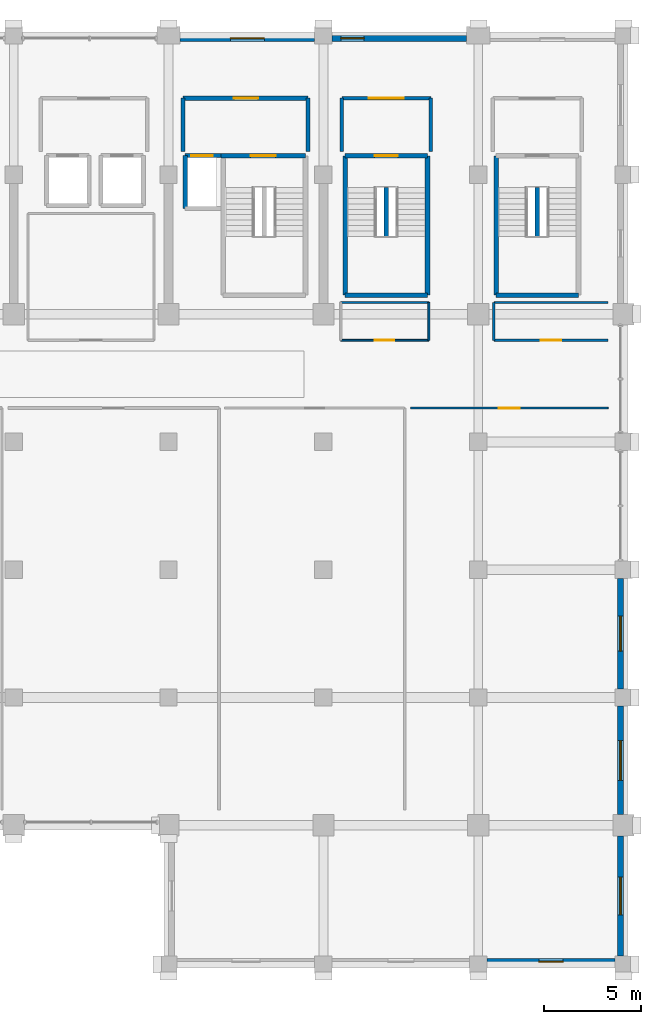
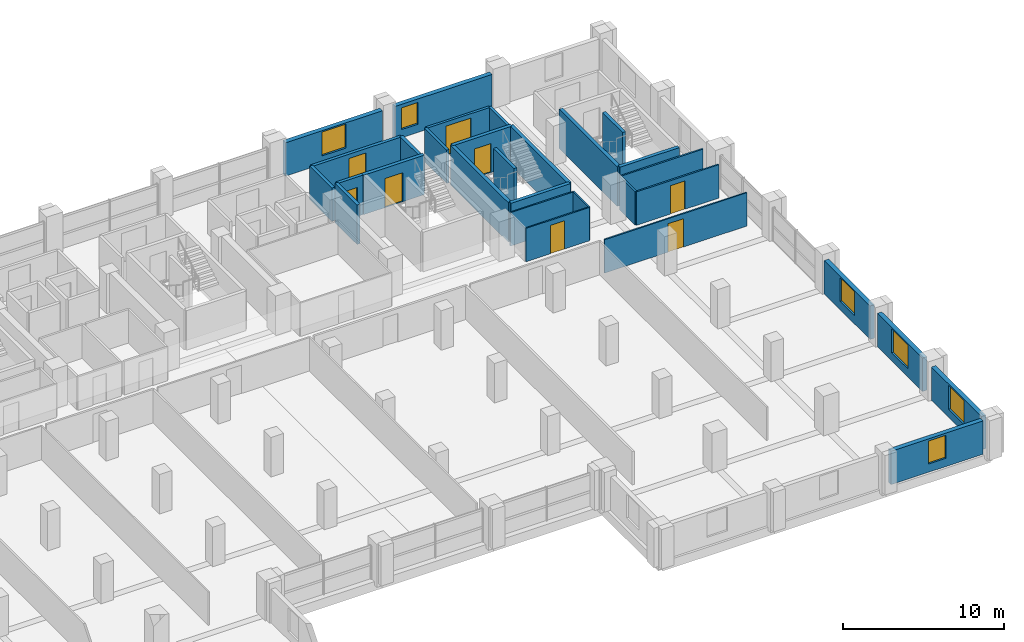
# One storey, part 19 of 21: 30 walls, 8 doors, 6 windows, 14 openings.
"""IFC4 building model written with IfcOpenShell, lengths in metres."""

from ifc_helpers import new_model, si_unit, direction, frame, frame_2d, origin, place, context, subcontext, project, spatial, rectangle, extrude, material, layer, layer_set, type_object, element, fill, save


model = new_model("IFC4")

# Units and contexts
model_context = context("Model", 3, precision=1e-05, world=origin(), true_north=direction((0.0, 1.0)))
body_context = subcontext(model_context, "Body", "Model", "MODEL_VIEW")
ifc_project = project(units=[si_unit("LENGTHUNIT", "METRE"), si_unit("AREAUNIT", "SQUARE_METRE"), si_unit("VOLUMEUNIT", "CUBIC_METRE"), si_unit("PLANEANGLEUNIT", "RADIAN"), si_unit("MASSUNIT", "GRAM", prefix="KILO")], contexts=[model_context])

# Site, building, storey
site_placement = place(None, origin())
site = spatial("IfcSite", under=ifc_project, at=site_placement, CompositionType="ELEMENT")
building_placement = place(site_placement, origin())
building = spatial("IfcBuilding", under=site, at=building_placement, Name="Akrevak Sports Hall", CompositionType="ELEMENT")
storey_placement = place(building_placement, frame((0.0, 0.0, 27.550048828125)))
storey = spatial("IfcBuildingStorey", under=building, at=storey_placement, Name="L05", CompositionType="ELEMENT", Elevation=27.550048828125)

# Wall, opening, window
ifc_material_1 = material(Name="Limestone Ashlar", Category="stone")
ifc_layer_1 = layer(ifc_material_1, 0.070068359375, Name="Limestone Ashlar")
ifc_material_2 = material(Name="Mineral Wool Thermal Insulation", Category="insulation")
ifc_layer_2 = layer(ifc_material_2, 0.090087890625, Name="Mineral Wool Thermal Insulation")
ifc_material_3 = material(Name="Concrete C40/50", Category="concrete")
ifc_layer_3 = layer(ifc_material_3, 0.159912109375, Name="Concrete C40/50")
ifc_layer_set_1 = layer_set([ifc_layer_1, ifc_layer_2, ifc_layer_3], Name="Limestone Ashlar / Mineral Wool Thermal Insulation / Concrete C40/50")
wall_type_1 = type_object("IfcWallType", Name="ARC-WL-EXT-320", PredefinedType="SOLIDWALL", material=ifc_layer_set_1)
wall_1_placement = place(storey_placement, frame((108.449951171875, 21.760009765625, 0.0), z_axis=(0.0, 0.0, 1.0), x_axis=(1.0, 0.0, 0.0)))
wall_1 = element("IfcWall", 1, at=wall_1_placement, inside=storey, type_object=wall_type_1, Name="Tower Stone Facade Wall L05-S11", PredefinedType="SOLIDWALL", context=body_context, shape_type="SweptSolid", body=[
    extrude(rectangle(XDim=6.60009765625, YDim=0.320068359375, at=frame_2d((3.300048828125, 0.0))), origin(), (0.0, 0.0, 1.0), 2.530029296875),
])
opening_1_placement = place(wall_1_placement, frame((2.675048828125, 0.0, 0.6201171875)))
opening_1 = element("IfcOpeningElement", 2, at=opening_1_placement, cuts=wall_1, Name="Opening WN-20", PredefinedType="OPENING", context=body_context, shape_type="SweptSolid", body=[
    extrude(rectangle(XDim=1.25, YDim=1.75, at=frame_2d((0.625, 0.875))), frame((0.0, 0.171875, 0.0), z_axis=(0.0, -1.0, 0.0), x_axis=(1.0, 0.0, 0.0)), (0.0, 0.0, 1.0), 0.343994140625),
])
ifc_material_4 = material(Name="Thermally Broken Bronze Frame & Double Low-E Glass", Category="glass")
window_type_1 = type_object("IfcWindowType", Name="ARC-WIN-TW-125x175", PartitioningType="SINGLE_PANEL", PredefinedType="WINDOW", material=ifc_material_4)
window_1_placement = place(opening_1_placement, origin())
window_1 = element("IfcWindow", 3, at=window_1_placement, inside=storey, type_object=window_type_1, Name="Tower Window L05-S11", OverallHeight=1.75, OverallWidth=1.25, PartitioningType="SINGLE_PANEL", PredefinedType="WINDOW", context=body_context, shape_type="SweptSolid", body=[
    extrude(rectangle(XDim=1.25, YDim=1.75, at=frame_2d((0.625, 0.875))), frame((0.0, 0.030029296875, 0.0), z_axis=(0.0, -1.0, 0.0), x_axis=(1.0, 0.0, 0.0)), (0.0, 0.0, 1.0), 0.06005859375),
])
fill(opening_1, window_1)

wall_2_placement = place(storey_placement, frame((115.340087890625, 22.050048828125, 0.0), z_axis=(0.0, 0.0, 1.0), x_axis=(0.0, 1.0, 0.0)))
wall_2 = element("IfcWall", 4, at=wall_2_placement, inside=storey, type_object=wall_type_1, Name="Tower Stone Facade Wall L05-E12", PredefinedType="SOLIDWALL", context=body_context, shape_type="SweptSolid", body=[
    extrude(rectangle(XDim=6.199951171875, YDim=0.320068359375, at=frame_2d((3.10009765625, 0.0))), origin(), (0.0, 0.0, 1.0), 2.530029296875),
])
opening_2_placement = place(wall_2_placement, frame((2.125, 0.0, 0.6201171875)))
opening_2 = element("IfcOpeningElement", 5, at=opening_2_placement, cuts=wall_2, Name="Opening WN-52", PredefinedType="OPENING", context=body_context, shape_type="SweptSolid", body=[
    extrude(rectangle(XDim=1.949951171875, YDim=1.81005859375, at=frame_2d((0.97509765625, 0.905029296875))), frame((0.0, 0.171875, 0.0), z_axis=(0.0, -1.0, 0.0), x_axis=(1.0, 0.0, 0.0)), (0.0, 0.0, 1.0), 0.343994140625),
])
window_type_2 = type_object("IfcWindowType", Name="ARC-WIN-SZ-1950x1810", PartitioningType="SINGLE_PANEL", PredefinedType="WINDOW", material=ifc_material_4)
window_2_placement = place(opening_2_placement, origin())
window_2 = element("IfcWindow", 6, at=window_2_placement, inside=storey, type_object=window_type_2, Name="Tower Window L05-E12", OverallHeight=1.81005859375, OverallWidth=1.949951171875, PartitioningType="SINGLE_PANEL", PredefinedType="WINDOW", context=body_context, shape_type="SweptSolid", body=[
    extrude(rectangle(XDim=1.949951171875, YDim=1.81005859375, at=frame_2d((0.97509765625, 0.905029296875))), frame((0.0, 0.030029296875, 0.0), z_axis=(0.0, -1.0, 0.0), x_axis=(1.0, 0.0, 0.0)), (0.0, 0.0, 1.0), 0.06005859375),
])
fill(opening_2, window_2)

wall_3_placement = place(storey_placement, frame((115.340087890625, 29.35009765625, 0.0), z_axis=(0.0, 0.0, 1.0), x_axis=(0.0, 1.0, 0.0)))
wall_3 = element("IfcWall", 7, at=wall_3_placement, inside=storey, type_object=wall_type_1, Name="Tower Stone Facade Wall L05-E13", PredefinedType="SOLIDWALL", context=body_context, shape_type="SweptSolid", body=[
    extrude(rectangle(XDim=5.599853515625, YDim=0.320068359375, at=frame_2d((2.7998046875, 0.0))), origin(), (0.0, 0.0, 1.0), 2.530029296875),
])
opening_3_placement = place(wall_3_placement, frame((1.77490234375, 0.0, 0.6201171875)))
opening_3 = element("IfcOpeningElement", 8, at=opening_3_placement, cuts=wall_3, Name="Opening WN-53", PredefinedType="OPENING", context=body_context, shape_type="SweptSolid", body=[
    extrude(rectangle(XDim=2.050048828125, YDim=1.81005859375, at=frame_2d((1.02490234375, 0.905029296875))), frame((0.0, 0.171875, 0.0), z_axis=(0.0, -1.0, 0.0), x_axis=(1.0, 0.0, 0.0)), (0.0, 0.0, 1.0), 0.343994140625),
])
window_type_3 = type_object("IfcWindowType", Name="ARC-WIN-SZ-2050x1810", PartitioningType="SINGLE_PANEL", PredefinedType="WINDOW", material=ifc_material_4)
window_3_placement = place(opening_3_placement, origin())
window_3 = element("IfcWindow", 9, at=window_3_placement, inside=storey, type_object=window_type_3, Name="Tower Window L05-E13", OverallHeight=1.81005859375, OverallWidth=2.050048828125, PartitioningType="SINGLE_PANEL", PredefinedType="WINDOW", context=body_context, shape_type="SweptSolid", body=[
    extrude(rectangle(XDim=2.050048828125, YDim=1.81005859375, at=frame_2d((1.02490234375, 0.905029296875))), frame((0.0, 0.030029296875, 0.0), z_axis=(0.0, -1.0, 0.0), x_axis=(1.0, 0.0, 0.0)), (0.0, 0.0, 1.0), 0.06005859375),
])
fill(opening_3, window_3)

wall_4_placement = place(storey_placement, frame((115.340087890625, 35.85009765625, 0.0), z_axis=(0.0, 0.0, 1.0), x_axis=(0.0, 1.0, 0.0)))
wall_4 = element("IfcWall", 10, at=wall_4_placement, inside=storey, type_object=wall_type_1, Name="Tower Stone Facade Wall L05-E14", PredefinedType="SOLIDWALL", context=body_context, shape_type="SweptSolid", body=[
    extrude(rectangle(XDim=5.699951171875, YDim=0.320068359375, at=frame_2d((2.85009765625, 0.0))), origin(), (0.0, 0.0, 1.0), 2.530029296875),
])
opening_4_placement = place(wall_4_placement, frame((1.949951171875, 0.0, 0.6201171875)))
opening_4 = element("IfcOpeningElement", 11, at=opening_4_placement, cuts=wall_4, Name="Opening WN-54", PredefinedType="OPENING", context=body_context, shape_type="SweptSolid", body=[
    extrude(rectangle(XDim=1.800048828125, YDim=1.81005859375, at=frame_2d((0.89990234375, 0.905029296875))), frame((0.0, 0.171875, 0.0), z_axis=(0.0, -1.0, 0.0), x_axis=(1.0, 0.0, 0.0)), (0.0, 0.0, 1.0), 0.343994140625),
])
window_type_4 = type_object("IfcWindowType", Name="ARC-WIN-SZ-1800x1810", PartitioningType="SINGLE_PANEL", PredefinedType="WINDOW", material=ifc_material_4)
window_4_placement = place(opening_4_placement, origin())
window_4 = element("IfcWindow", 12, at=window_4_placement, inside=storey, type_object=window_type_4, Name="Tower Window L05-E14", OverallHeight=1.81005859375, OverallWidth=1.800048828125, PartitioningType="SINGLE_PANEL", PredefinedType="WINDOW", context=body_context, shape_type="SweptSolid", body=[
    extrude(rectangle(XDim=1.800048828125, YDim=1.81005859375, at=frame_2d((0.89990234375, 0.905029296875))), frame((0.0, 0.030029296875, 0.0), z_axis=(0.0, -1.0, 0.0), x_axis=(1.0, 0.0, 0.0)), (0.0, 0.0, 1.0), 0.06005859375),
])
fill(opening_4, window_4)

wall_5_placement = place(storey_placement, frame((107.39990234375, 69.43994140625, 0.0), z_axis=(0.0, 0.0, 1.0), x_axis=(-1.0, 0.0, 0.0)))
wall_5 = element("IfcWall", 13, at=wall_5_placement, inside=storey, type_object=wall_type_1, Name="Tower Stone Facade Wall L05-N20", PredefinedType="SOLIDWALL", context=body_context, shape_type="SweptSolid", body=[
    extrude(rectangle(XDim=6.949951171875, YDim=0.320068359375, at=frame_2d((3.47509765625, 0.0))), origin(), (0.0, 0.0, 1.0), 2.530029296875),
])
opening_5_placement = place(wall_5_placement, frame((5.300048828125, 0.0, 0.6201171875)))
opening_5 = element("IfcOpeningElement", 14, at=opening_5_placement, cuts=wall_5, Name="Opening WN-45", PredefinedType="OPENING", context=body_context, shape_type="SweptSolid", body=[
    extrude(rectangle(XDim=1.199951171875, YDim=1.64990234375, at=frame_2d((0.60009765625, 0.824951171875))), frame((0.0, 0.171875, 0.0), z_axis=(0.0, -1.0, 0.0), x_axis=(1.0, 0.0, 0.0)), (0.0, 0.0, 1.0), 0.343994140625),
])
window_type_5 = type_object("IfcWindowType", Name="ARC-WIN-SZ-1200x1650", PartitioningType="SINGLE_PANEL", PredefinedType="WINDOW", material=ifc_material_4)
window_5_placement = place(opening_5_placement, origin())
window_5 = element("IfcWindow", 15, at=window_5_placement, inside=storey, type_object=window_type_5, Name="Tower Window L05-N20", OverallHeight=1.64990234375, OverallWidth=1.199951171875, PartitioningType="SINGLE_PANEL", PredefinedType="WINDOW", context=body_context, shape_type="SweptSolid", body=[
    extrude(rectangle(XDim=1.199951171875, YDim=1.64990234375, at=frame_2d((0.60009765625, 0.824951171875))), frame((0.0, 0.030029296875, 0.0), z_axis=(0.0, -1.0, 0.0), x_axis=(1.0, 0.0, 0.0)), (0.0, 0.0, 1.0), 0.06005859375),
])
fill(opening_5, window_5)

wall_6_placement = place(storey_placement, frame((99.550048828125, 69.43994140625, 0.0), z_axis=(0.0, 0.0, 1.0), x_axis=(-1.0, 0.0, 0.0)))
wall_6 = element("IfcWall", 16, at=wall_6_placement, inside=storey, type_object=wall_type_1, Name="Tower Stone Facade Wall L05-N21", PredefinedType="SOLIDWALL", context=body_context, shape_type="SweptSolid", body=[
    extrude(rectangle(XDim=6.949951171875, YDim=0.320068359375, at=frame_2d((3.47509765625, 0.0))), origin(), (0.0, 0.0, 1.0), 2.530029296875),
])
opening_6_placement = place(wall_6_placement, frame((2.60009765625, 0.0, 0.6201171875)))
opening_6 = element("IfcOpeningElement", 17, at=opening_6_placement, cuts=wall_6, Name="Opening WN-56", PredefinedType="OPENING", context=body_context, shape_type="SweptSolid", body=[
    extrude(rectangle(XDim=1.75, YDim=1.81005859375, at=frame_2d((0.875, 0.905029296875))), frame((0.0, 0.171875, 0.0), z_axis=(0.0, -1.0, 0.0), x_axis=(1.0, 0.0, 0.0)), (0.0, 0.0, 1.0), 0.343994140625),
])
window_type_6 = type_object("IfcWindowType", Name="ARC-WIN-SZ-1750x1810", PartitioningType="SINGLE_PANEL", PredefinedType="WINDOW", material=ifc_material_4)
window_6_placement = place(opening_6_placement, origin())
window_6 = element("IfcWindow", 18, at=window_6_placement, inside=storey, type_object=window_type_6, Name="Tower Window L05-N21", OverallHeight=1.81005859375, OverallWidth=1.75, PartitioningType="SINGLE_PANEL", PredefinedType="WINDOW", context=body_context, shape_type="SweptSolid", body=[
    extrude(rectangle(XDim=1.75, YDim=1.81005859375, at=frame_2d((0.875, 0.905029296875))), frame((0.0, 0.030029296875, 0.0), z_axis=(0.0, -1.0, 0.0), x_axis=(1.0, 0.0, 0.0)), (0.0, 0.0, 1.0), 0.06005859375),
])
fill(opening_6, window_6)

# Wall, opening, door
ifc_material_5 = material(Name="Sanitary Cubicle Partition", Category="gypsum")
ifc_layer_4 = layer(ifc_material_5, 0.10009765625, Name="Sanitary Cubicle Partition")
ifc_layer_set_2 = layer_set([ifc_layer_4], Name="Sanitary Cubicle Partition")
wall_type_2 = type_object("IfcWallType", Name="ARC-WL-PRT-100", PredefinedType="PARTITIONING", material=ifc_layer_set_2)
wall_7_placement = place(storey_placement, frame((104.5, 50.35009765625, 0.0), z_axis=(0.0, 0.0, 1.0), x_axis=(1.0, 0.0, 0.0)))
wall_7 = element("IfcWall", 19, at=wall_7_placement, inside=storey, type_object=wall_type_2, Name="Interior Partition Federation Conference Room A (L05) (N)", PredefinedType="PARTITIONING", context=body_context, shape_type="SweptSolid", body=[
    extrude(rectangle(XDim=10.199951171875, YDim=0.10009765625, at=frame_2d((5.10009765625, 0.0))), origin(), (0.0, 0.0, 1.0), 2.530029296875),
])
opening_7_placement = place(wall_7_placement, frame((4.550048828125, 0.0, 0.0)))
opening_7 = element("IfcOpeningElement", 20, at=opening_7_placement, cuts=wall_7, Name="Opening ID-04", PredefinedType="OPENING", context=body_context, shape_type="SweptSolid", body=[
    extrude(rectangle(XDim=1.10009765625, YDim=2.14990234375, at=frame_2d((0.550048828125, 1.074951171875))), frame((0.0, 0.06201171875, 0.0), z_axis=(0.0, -1.0, 0.0), x_axis=(1.0, 0.0, 0.0)), (0.0, 0.0, 1.0), 0.1240234375),
])
ifc_material_6 = material(Name="Hardwood Oak Acoustic Leaf", Category="wood")
door_type_1 = type_object("IfcDoorType", Name="ARC-DR-OFF-110x215", OperationType="NOTDEFINED", PredefinedType="DOOR", material=ifc_material_6)
door_1_placement = place(opening_7_placement, origin())
door_1 = element("IfcDoor", 21, at=door_1_placement, inside=storey, type_object=door_type_1, Name="Door to Federation Conference Room A (L05)", OperationType="SINGLE_SWING_RIGHT", OverallHeight=2.14990234375, OverallWidth=1.10009765625, PredefinedType="DOOR", context=body_context, shape_type="SweptSolid", body=[
    extrude(rectangle(XDim=1.10009765625, YDim=2.14990234375, at=frame_2d((0.550048828125, 1.074951171875))), frame((0.0, 0.02490234375, 0.0), z_axis=(0.0, -1.0, 0.0), x_axis=(1.0, 0.0, 0.0)), (0.0, 0.0, 1.0), 0.050048828125),
])
fill(opening_7, door_1)

wall_8_placement = place(storey_placement, frame((100.89990234375, 53.85009765625, 0.0), z_axis=(0.0, 0.0, 1.0), x_axis=(1.0, 0.0, 0.0)))
wall_8 = element("IfcWall", 22, at=wall_8_placement, inside=storey, type_object=wall_type_2, Name="Interior Partition Federation Research Office L05-E1 (S)", PredefinedType="PARTITIONING", context=body_context, shape_type="SweptSolid", body=[
    extrude(rectangle(XDim=4.550048828125, YDim=0.10009765625, at=frame_2d((2.27490234375, 0.0))), origin(), (0.0, 0.0, 1.0), 2.530029296875),
])
opening_8_placement = place(wall_8_placement, frame((1.75, 0.0, 0.0)))
opening_8 = element("IfcOpeningElement", 23, at=opening_8_placement, cuts=wall_8, Name="Opening ID-06", PredefinedType="OPENING", context=body_context, shape_type="SweptSolid", body=[
    extrude(rectangle(XDim=1.0, YDim=2.14990234375, at=frame_2d((0.5, 1.074951171875))), frame((0.0, 0.06201171875, 0.0), z_axis=(0.0, -1.0, 0.0), x_axis=(1.0, 0.0, 0.0)), (0.0, 0.0, 1.0), 0.1240234375),
])
door_type_2 = type_object("IfcDoorType", Name="ARC-DR-OFF-100x215", OperationType="NOTDEFINED", PredefinedType="DOOR", material=ifc_material_6)
door_2_placement = place(opening_8_placement, frame((1.0, 0.0, 0.0), z_axis=(0.0, 0.0, 1.0), x_axis=(-1.0, 0.0, 0.0)))
door_2 = element("IfcDoor", 24, at=door_2_placement, inside=storey, type_object=door_type_2, Name="Door to Federation Research Office L05-E1", OperationType="SINGLE_SWING_RIGHT", OverallHeight=2.14990234375, OverallWidth=1.0, PredefinedType="DOOR", context=body_context, shape_type="SweptSolid", body=[
    extrude(rectangle(XDim=1.0, YDim=2.14990234375, at=frame_2d((0.5, 1.074951171875))), frame((0.0, 0.02490234375, 0.0), z_axis=(0.0, -1.0, 0.0), x_axis=(1.0, 0.0, 0.0)), (0.0, 0.0, 1.0), 0.050048828125),
])
fill(opening_8, door_2)

# Walls
wall_9_placement = place(storey_placement, frame((100.89990234375, 55.800048828125, 0.0), z_axis=(0.0, 0.0, 1.0), x_axis=(1.0, 0.0, 0.0)))
element("IfcWall", 25, at=wall_9_placement, inside=storey, type_object=wall_type_2, Name="Interior Partition Federation Research Office L05-E1 (N)", PredefinedType="PARTITIONING", context=body_context, shape_type="SweptSolid", body=[
    extrude(rectangle(XDim=4.550048828125, YDim=0.10009765625, at=frame_2d((2.27490234375, 0.0))), origin(), (0.0, 0.0, 1.0), 2.530029296875),
])
wall_10_placement = place(storey_placement, frame((105.449951171875, 53.85009765625, 0.0), z_axis=(0.0, 0.0, 1.0), x_axis=(0.0, 1.0, 0.0)))
element("IfcWall", 26, at=wall_10_placement, inside=storey, type_object=wall_type_2, Name="Interior Partition Federation Research Office L05-E1 (E)", PredefinedType="PARTITIONING", context=body_context, shape_type="SweptSolid", body=[
    extrude(rectangle(XDim=1.949951171875, YDim=0.10009765625, at=frame_2d((0.97509765625, 0.0))), origin(), (0.0, 0.0, 1.0), 2.530029296875),
])

# Wall, opening, door
ifc_material_7 = material(Name="Standard Metal Stud Partition", Category="gypsum")
ifc_layer_5 = layer(ifc_material_7, 0.1201171875, Name="Standard Metal Stud Partition")
ifc_layer_set_3 = layer_set([ifc_layer_5], Name="Standard Metal Stud Partition")
wall_type_3 = type_object("IfcWallType", Name="ARC-WL-PRT-120", PredefinedType="PARTITIONING", material=ifc_layer_set_3)
wall_11_placement = place(storey_placement, frame((108.800048828125, 53.85009765625, 0.0), z_axis=(0.0, 0.0, 1.0), x_axis=(1.0, 0.0, 0.0)))
wall_11 = element("IfcWall", 27, at=wall_11_placement, inside=storey, type_object=wall_type_3, Name="Interior Partition International Athletics Office L05-E3 (S)", PredefinedType="PARTITIONING", context=body_context, shape_type="SweptSolid", body=[
    extrude(rectangle(XDim=5.89990234375, YDim=0.1201171875, at=frame_2d((2.949951171875, 0.0))), origin(), (0.0, 0.0, 1.0), 2.530029296875),
])
opening_9_placement = place(wall_11_placement, frame((2.425048828125, 0.0, 0.0)))
opening_9 = element("IfcOpeningElement", 28, at=opening_9_placement, cuts=wall_11, Name="Opening ID-05", PredefinedType="OPENING", context=body_context, shape_type="SweptSolid", body=[
    extrude(rectangle(XDim=1.050048828125, YDim=2.14990234375, at=frame_2d((0.52490234375, 1.074951171875))), frame((0.0, 0.072021484375, 0.0), z_axis=(0.0, -1.0, 0.0), x_axis=(1.0, 0.0, 0.0)), (0.0, 0.0, 1.0), 0.14404296875),
])
door_type_3 = type_object("IfcDoorType", Name="ARC-DR-OFF-105x215", OperationType="NOTDEFINED", PredefinedType="DOOR", material=ifc_material_6)
door_3_placement = place(opening_9_placement, frame((1.050048828125, 0.0, 0.0), z_axis=(0.0, 0.0, 1.0), x_axis=(-1.0, 0.0, 0.0)))
door_3 = element("IfcDoor", 29, at=door_3_placement, inside=storey, type_object=door_type_3, Name="Door to International Athletics Office L05-E3", OperationType="SINGLE_SWING_RIGHT", OverallHeight=2.14990234375, OverallWidth=1.050048828125, PredefinedType="DOOR", context=body_context, shape_type="SweptSolid", body=[
    extrude(rectangle(XDim=1.050048828125, YDim=2.14990234375, at=frame_2d((0.52490234375, 1.074951171875))), frame((0.0, 0.02490234375, 0.0), z_axis=(0.0, -1.0, 0.0), x_axis=(1.0, 0.0, 0.0)), (0.0, 0.0, 1.0), 0.050048828125),
])
fill(opening_9, door_3)

# Walls
wall_12_placement = place(storey_placement, frame((108.800048828125, 55.800048828125, 0.0), z_axis=(0.0, 0.0, 1.0), x_axis=(1.0, 0.0, 0.0)))
element("IfcWall", 30, at=wall_12_placement, inside=storey, type_object=wall_type_3, Name="Interior Partition International Athletics Office L05-E3 (N)", PredefinedType="PARTITIONING", context=body_context, shape_type="SweptSolid", body=[
    extrude(rectangle(XDim=5.89990234375, YDim=0.1201171875, at=frame_2d((2.949951171875, 0.0))), origin(), (0.0, 0.0, 1.0), 2.530029296875),
])
wall_13_placement = place(storey_placement, frame((108.800048828125, 53.85009765625, 0.0), z_axis=(0.0, 0.0, 1.0), x_axis=(0.0, 1.0, 0.0)))
element("IfcWall", 31, at=wall_13_placement, inside=storey, type_object=wall_type_3, Name="Interior Partition International Athletics Office L05-E3 (W)", PredefinedType="PARTITIONING", context=body_context, shape_type="SweptSolid", body=[
    extrude(rectangle(XDim=1.949951171875, YDim=0.1201171875, at=frame_2d((0.97509765625, 0.0))), origin(), (0.0, 0.0, 1.0), 2.530029296875),
])

# Wall, opening, door
ifc_material_8 = material(Name="Autoclaved Aerated Masonry Block", Category="masonry")
ifc_layer_6 = layer(ifc_material_8, 0.179931640625, Name="Autoclaved Aerated Masonry Block")
ifc_layer_set_4 = layer_set([ifc_layer_6], Name="Autoclaved Aerated Masonry Block")
wall_type_4 = type_object("IfcWallType", Name="ARC-WL-PRT-180", PredefinedType="PARTITIONING", material=ifc_layer_set_4)
wall_14_placement = place(storey_placement, frame((100.949951171875, 66.35009765625, 0.0), z_axis=(0.0, 0.0, 1.0), x_axis=(1.0, 0.0, 0.0)))
wall_14 = element("IfcWall", 32, at=wall_14_placement, inside=storey, type_object=wall_type_4, Name="Interior Partition East Wing Stair ST10 Vestibule L05 (N)", PredefinedType="PARTITIONING", context=body_context, shape_type="SweptSolid", body=[
    extrude(rectangle(XDim=4.60009765625, YDim=0.179931640625, at=frame_2d((2.300048828125, 0.0))), origin(), (0.0, 0.0, 1.0), 2.530029296875),
])
opening_10_placement = place(wall_14_placement, frame((1.39990234375, 0.0, 0.0)))
opening_10 = element("IfcOpeningElement", 33, at=opening_10_placement, cuts=wall_14, Name="Opening FD-02", PredefinedType="OPENING", context=body_context, shape_type="SweptSolid", body=[
    extrude(rectangle(XDim=1.800048828125, YDim=2.199951171875, at=frame_2d((0.89990234375, 1.10009765625))), frame((0.0, 0.10205078125, 0.0), z_axis=(0.0, -1.0, 0.0), x_axis=(1.0, 0.0, 0.0)), (0.0, 0.0, 1.0), 0.203857421875),
])
ifc_material_9 = material(Name="Fire-Rated Galvanized Door Steel", Category="steel")
door_type_4 = type_object("IfcDoorType", Name="ARC-DR-FIRE-180x220", OperationType="DOUBLE_DOOR_SINGLE_SWING", PredefinedType="DOOR", material=ifc_material_9)
door_4_placement = place(opening_10_placement, frame((1.800048828125, 0.0, 0.0), z_axis=(0.0, 0.0, 1.0), x_axis=(-1.0, 0.0, 0.0)))
door_4 = element("IfcDoor", 34, at=door_4_placement, inside=storey, type_object=door_type_4, Name="Door to East Wing Stair ST10 Vestibule L05", OperationType="DOUBLE_DOOR_SINGLE_SWING", OverallHeight=2.199951171875, OverallWidth=1.800048828125, PredefinedType="DOOR", context=body_context, shape_type="SweptSolid", body=[
    extrude(rectangle(XDim=1.800048828125, YDim=2.199951171875, at=frame_2d((0.89990234375, 1.10009765625))), frame((0.0, 0.02490234375, 0.0), z_axis=(0.0, -1.0, 0.0), x_axis=(1.0, 0.0, 0.0)), (0.0, 0.0, 1.0), 0.050048828125),
])
fill(opening_10, door_4)

# Walls
for number, where, z_axis, x_axis, name in (
    (35, (100.949951171875, 63.60009765625, 0.0), (0.0, 0.0, 1.0), (0.0, 1.0, 0.0), "Interior Partition East Wing Stair ST10 Vestibule L05 (W)"),
    (36, (105.550048828125, 63.60009765625, 0.0), (0.0, 0.0, 1.0), (0.0, 1.0, 0.0), "Interior Partition East Wing Stair ST10 Vestibule L05 (E)"),
):
    element("IfcWall", number, at=place(storey_placement, frame(where, z_axis=z_axis, x_axis=x_axis)), inside=storey, type_object=wall_type_4, Name=name, PredefinedType="PARTITIONING", context=body_context, shape_type="SweptSolid", body=[
        extrude(rectangle(XDim=2.75, YDim=0.179931640625, at=frame_2d((1.375, 0.0))), origin(), (0.0, 0.0, 1.0), 2.530029296875),
    ])
ifc_layer_7 = layer(ifc_material_3, 0.219970703125, Name="Concrete C40/50")
ifc_layer_set_5 = layer_set([ifc_layer_7], Name="Concrete C40/50")
wall_type_5 = type_object("IfcWallType", Name="ARC-WL-PRT-220", PredefinedType="PARTITIONING", material=ifc_layer_set_5)
for number, where, z_axis, x_axis, name in (
    (37, (103.25, 59.215087890625, 0.0), (0.0, 0.0, 1.0), (0.0, 1.0, 0.0), "Stair ST10 Central Spine Wall (L05)"),
    (38, (111.050048828125, 59.215087890625, 0.0), (0.0, 0.0, 1.0), (0.0, 1.0, 0.0), "Stair ST11 Central Spine Wall (L05)"),
):
    element("IfcWall", number, at=place(storey_placement, frame(where, z_axis=z_axis, x_axis=x_axis)), inside=storey, type_object=wall_type_5, Name=name, PredefinedType="PARTITIONING", context=body_context, shape_type="SweptSolid", body=[
        extrude(rectangle(XDim=2.52001953125, YDim=0.219970703125, at=frame_2d((1.260009765625, 0.0))), origin(), (0.0, 0.0, 1.0), 2.989990234375),
    ])

# Wall, opening, door
wall_15_placement = place(storey_placement, frame((92.75, 66.35009765625, 0.0), z_axis=(0.0, 0.0, 1.0), x_axis=(1.0, 0.0, 0.0)))
wall_15 = element("IfcWall", 39, at=wall_15_placement, inside=storey, type_object=wall_type_5, Name="Interior Partition Firefighting Lobby East L05 (N)", PredefinedType="PARTITIONING", context=body_context, shape_type="SweptSolid", body=[
    extrude(rectangle(XDim=6.449951171875, YDim=0.219970703125, at=frame_2d((3.22509765625, 0.0))), origin(), (0.0, 0.0, 1.0), 2.530029296875),
])
opening_11_placement = place(wall_15_placement, frame((2.625, 0.0, 0.0)))
opening_11 = element("IfcOpeningElement", 40, at=opening_11_placement, cuts=wall_15, Name="Opening FD-01", PredefinedType="OPENING", context=body_context, shape_type="SweptSolid", body=[
    extrude(rectangle(XDim=1.25, YDim=2.199951171875, at=frame_2d((0.625, 1.10009765625))), frame((0.0, 0.1220703125, 0.0), z_axis=(0.0, -1.0, 0.0), x_axis=(1.0, 0.0, 0.0)), (0.0, 0.0, 1.0), 0.243896484375),
])
door_type_5 = type_object("IfcDoorType", Name="ARC-DR-FFL-125x220", OperationType="NOTDEFINED", PredefinedType="DOOR", material=ifc_material_9)
door_5_placement = place(opening_11_placement, frame((1.25, 0.0, 0.0), z_axis=(0.0, 0.0, 1.0), x_axis=(-1.0, 0.0, 0.0)))
door_5 = element("IfcDoor", 41, at=door_5_placement, inside=storey, type_object=door_type_5, Name="Door to Firefighting Lobby East L05", OperationType="SINGLE_SWING_LEFT", OverallHeight=2.199951171875, OverallWidth=1.25, PredefinedType="DOOR", context=body_context, shape_type="SweptSolid", body=[
    extrude(rectangle(XDim=1.25, YDim=2.199951171875, at=frame_2d((0.625, 1.10009765625))), frame((0.0, 0.02490234375, 0.0), z_axis=(0.0, -1.0, 0.0), x_axis=(1.0, 0.0, 0.0)), (0.0, 0.0, 1.0), 0.050048828125),
])
fill(opening_11, door_5)

# Walls
for number, where, z_axis, x_axis, name in (
    (42, (92.75, 63.60009765625, 0.0), (0.0, 0.0, 1.0), (0.0, 1.0, 0.0), "Interior Partition Firefighting Lobby East L05 (W)"),
    (43, (99.199951171875, 63.60009765625, 0.0), (0.0, 0.0, 1.0), (0.0, 1.0, 0.0), "Interior Partition Firefighting Lobby East L05 (E)"),
):
    element("IfcWall", number, at=place(storey_placement, frame(where, z_axis=z_axis, x_axis=x_axis)), inside=storey, type_object=wall_type_5, Name=name, PredefinedType="PARTITIONING", context=body_context, shape_type="SweptSolid", body=[
        extrude(rectangle(XDim=2.75, YDim=0.219970703125, at=frame_2d((1.375, 0.0))), origin(), (0.0, 0.0, 1.0), 2.530029296875),
    ])

# Wall, opening, door
ifc_material_10 = material(Name="Concrete C50/60", Category="concrete")
ifc_layer_8 = layer(ifc_material_10, 0.219970703125, Name="Concrete C50/60")
ifc_layer_set_6 = layer_set([ifc_layer_8], Name="Concrete C50/60")
wall_type_6 = type_object("IfcWallType", Name="ARC-WL-SHAFT-220", PredefinedType="SHEAR", material=ifc_layer_set_6)
wall_16_placement = place(storey_placement, frame((94.699951171875, 63.389892578125, 0.0), z_axis=(0.0, 0.0, 1.0), x_axis=(-1.0, 0.0, 0.0)))
wall_16 = element("IfcWall", 44, at=wall_16_placement, inside=storey, type_object=wall_type_6, Name="Lift Shaft LF-FF2 Wall N (L05)", PredefinedType="SHEAR", context=body_context, shape_type="SweptSolid", body=[
    extrude(rectangle(XDim=1.83984375, YDim=0.219970703125, at=frame_2d((0.919921875, 0.0))), origin(), (0.0, 0.0, 1.0), 2.989990234375),
])
opening_12_placement = place(wall_16_placement, frame((0.425048828125, 0.0, 0.0)))
opening_12 = element("IfcOpeningElement", 45, at=opening_12_placement, cuts=wall_16, Name="Opening LD-01", PredefinedType="OPENING", context=body_context, shape_type="SweptSolid", body=[
    extrude(rectangle(XDim=1.10009765625, YDim=2.199951171875, at=frame_2d((0.550048828125, 1.10009765625))), frame((0.0, 0.1220703125, 0.0), z_axis=(0.0, -1.0, 0.0), x_axis=(1.0, 0.0, 0.0)), (0.0, 0.0, 1.0), 0.243896484375),
])
ifc_material_11 = material(Name="Brushed Stainless Steel 304", Category="steel")
door_type_6 = type_object("IfcDoorType", Name="ARC-DR-LD-110x220", OperationType="SLIDING_TO_LEFT", PredefinedType="DOOR", material=ifc_material_11)
door_6_placement = place(opening_12_placement, origin())
door_6 = element("IfcDoor", 46, at=door_6_placement, inside=storey, type_object=door_type_6, Name="Lift LF-FF2 Sliding Landing Door (L05)", OperationType="SLIDING_TO_RIGHT", OverallHeight=2.199951171875, OverallWidth=1.10009765625, PredefinedType="DOOR", context=body_context, shape_type="SweptSolid", body=[
    extrude(rectangle(XDim=1.10009765625, YDim=2.199951171875, at=frame_2d((0.550048828125, 1.10009765625))), frame((0.0, 0.02490234375, 0.0), z_axis=(0.0, -1.0, 0.0), x_axis=(1.0, 0.0, 0.0)), (0.0, 0.0, 1.0), 0.050048828125),
])
fill(opening_12, door_6)

# Wall
wall_17_placement = place(storey_placement, frame((92.860107421875, 63.389892578125, 0.0), z_axis=(0.0, 0.0, 1.0), x_axis=(0.0, -1.0, 0.0)))
element("IfcWall", 47, at=wall_17_placement, inside=storey, type_object=wall_type_6, Name="Lift Shaft LF-FF2 Wall W (L05)", PredefinedType="SHEAR", context=body_context, shape_type="SweptSolid", body=[
    extrude(rectangle(XDim=2.72998046875, YDim=0.219970703125, at=frame_2d((1.364990234375, 0.0))), origin(), (0.0, 0.0, 1.0), 2.989990234375),
])

# Wall, opening, door
ifc_layer_9 = layer(ifc_material_10, 0.25, Name="Concrete C50/60")
ifc_layer_set_7 = layer_set([ifc_layer_9], Name="Concrete C50/60")
wall_type_7 = type_object("IfcWallType", Name="STR-WL-STAIR-250", PredefinedType="SHEAR", material=ifc_layer_set_7)
wall_18_placement = place(storey_placement, frame((99.074951171875, 63.375, 0.0), z_axis=(0.0, 0.0, 1.0), x_axis=(-1.0, 0.0, 0.0)))
wall_18 = element("IfcWall", 48, at=wall_18_placement, inside=storey, type_object=wall_type_7, Name="Stair Core ST2 Shear Wall N (L05)", PredefinedType="SHEAR", context=body_context, shape_type="SweptSolid", body=[
    extrude(rectangle(XDim=4.375, YDim=0.25, at=frame_2d((2.1875, 0.0))), origin(), (0.0, 0.0, 1.0), 2.989990234375),
])
opening_13_placement = place(wall_18_placement, frame((1.53759765625, 0.0, 0.0)))
opening_13 = element("IfcOpeningElement", 49, at=opening_13_placement, cuts=wall_18, Name="Opening SD-01", PredefinedType="OPENING", context=body_context, shape_type="SweptSolid", body=[
    extrude(rectangle(XDim=1.300048828125, YDim=2.199951171875, at=frame_2d((0.64990234375, 1.10009765625))), frame((0.0, 0.136962890625, 0.0), z_axis=(0.0, -1.0, 0.0), x_axis=(1.0, 0.0, 0.0)), (0.0, 0.0, 1.0), 0.27392578125),
])
door_type_7 = type_object("IfcDoorType", Name="ARC-DR-STAIR-130x220", OperationType="NOTDEFINED", PredefinedType="DOOR", material=ifc_material_9)
door_7_placement = place(opening_13_placement, origin())
door_7 = element("IfcDoor", 50, at=door_7_placement, inside=storey, type_object=door_type_7, Name="Exit Stair ST2 Door (L05)", OperationType="SINGLE_SWING_RIGHT", OverallHeight=2.199951171875, OverallWidth=1.300048828125, PredefinedType="DOOR", context=body_context, shape_type="SweptSolid", body=[
    extrude(rectangle(XDim=1.300048828125, YDim=2.199951171875, at=frame_2d((0.64990234375, 1.10009765625))), frame((0.0, 0.02490234375, 0.0), z_axis=(0.0, -1.0, 0.0), x_axis=(1.0, 0.0, 0.0)), (0.0, 0.0, 1.0), 0.050048828125),
])
fill(opening_13, door_7)

# Wall
wall_19_placement = place(storey_placement, frame((101.125, 56.175048828125, 0.0), z_axis=(0.0, 0.0, 1.0), x_axis=(1.0, 0.0, 0.0)))
element("IfcWall", 51, at=wall_19_placement, inside=storey, type_object=wall_type_7, Name="Stair Core ST10 Shear Wall S (L05)", PredefinedType="SHEAR", context=body_context, shape_type="SweptSolid", body=[
    extrude(rectangle(XDim=4.25, YDim=0.25, at=frame_2d((2.125, 0.0))), origin(), (0.0, 0.0, 1.0), 2.989990234375),
])

# Wall, opening, door
wall_20_placement = place(storey_placement, frame((105.375, 63.375, 0.0), z_axis=(0.0, 0.0, 1.0), x_axis=(-1.0, 0.0, 0.0)))
wall_20 = element("IfcWall", 52, at=wall_20_placement, inside=storey, type_object=wall_type_7, Name="Stair Core ST10 Shear Wall N (L05)", PredefinedType="SHEAR", context=body_context, shape_type="SweptSolid", body=[
    extrude(rectangle(XDim=4.25, YDim=0.25, at=frame_2d((2.125, 0.0))), origin(), (0.0, 0.0, 1.0), 2.989990234375),
])
opening_14_placement = place(wall_20_placement, frame((1.52490234375, 0.0, 0.0)))
opening_14 = element("IfcOpeningElement", 53, at=opening_14_placement, cuts=wall_20, Name="Opening SD-02", PredefinedType="OPENING", context=body_context, shape_type="SweptSolid", body=[
    extrude(rectangle(XDim=1.199951171875, YDim=2.199951171875, at=frame_2d((0.60009765625, 1.10009765625))), frame((0.0, 0.136962890625, 0.0), z_axis=(0.0, -1.0, 0.0), x_axis=(1.0, 0.0, 0.0)), (0.0, 0.0, 1.0), 0.27392578125),
])
door_type_8 = type_object("IfcDoorType", Name="ARC-DR-STAIR-120x220", OperationType="NOTDEFINED", PredefinedType="DOOR", material=ifc_material_9)
door_8_placement = place(opening_14_placement, origin())
door_8 = element("IfcDoor", 54, at=door_8_placement, inside=storey, type_object=door_type_8, Name="Exit Stair ST10 Door (L05)", OperationType="SINGLE_SWING_RIGHT", OverallHeight=2.199951171875, OverallWidth=1.199951171875, PredefinedType="DOOR", context=body_context, shape_type="SweptSolid", body=[
    extrude(rectangle(XDim=1.199951171875, YDim=2.199951171875, at=frame_2d((0.60009765625, 1.10009765625))), frame((0.0, 0.02490234375, 0.0), z_axis=(0.0, -1.0, 0.0), x_axis=(1.0, 0.0, 0.0)), (0.0, 0.0, 1.0), 0.050048828125),
])
fill(opening_14, door_8)

# Walls
for number, where, z_axis, x_axis, name in (
    (55, (101.125, 63.375, 0.0), (0.0, 0.0, 1.0), (0.0, -1.0, 0.0), "Stair Core ST10 Shear Wall W (L05)"),
    (56, (105.375, 56.175048828125, 0.0), (0.0, 0.0, 1.0), (0.0, 1.0, 0.0), "Stair Core ST10 Shear Wall E (L05)"),
):
    element("IfcWall", number, at=place(storey_placement, frame(where, z_axis=z_axis, x_axis=x_axis)), inside=storey, type_object=wall_type_7, Name=name, PredefinedType="SHEAR", context=body_context, shape_type="SweptSolid", body=[
        extrude(rectangle(XDim=7.199951171875, YDim=0.25, at=frame_2d((3.60009765625, 0.0))), origin(), (0.0, 0.0, 1.0), 2.989990234375),
    ])
wall_21_placement = place(storey_placement, frame((108.925048828125, 56.175048828125, 0.0), z_axis=(0.0, 0.0, 1.0), x_axis=(1.0, 0.0, 0.0)))
element("IfcWall", 57, at=wall_21_placement, inside=storey, type_object=wall_type_7, Name="Stair Core ST11 Shear Wall S (L05)", PredefinedType="SHEAR", context=body_context, shape_type="SweptSolid", body=[
    extrude(rectangle(XDim=4.25, YDim=0.25, at=frame_2d((2.125, 0.0))), origin(), (0.0, 0.0, 1.0), 2.989990234375),
])
wall_22_placement = place(storey_placement, frame((108.925048828125, 63.375, 0.0), z_axis=(0.0, 0.0, 1.0), x_axis=(0.0, -1.0, 0.0)))
element("IfcWall", 58, at=wall_22_placement, inside=storey, type_object=wall_type_7, Name="Stair Core ST11 Shear Wall W (L05)", PredefinedType="SHEAR", context=body_context, shape_type="SweptSolid", body=[
    extrude(rectangle(XDim=7.199951171875, YDim=0.25, at=frame_2d((3.60009765625, 0.0))), origin(), (0.0, 0.0, 1.0), 2.989990234375),
])

save(model, "model.ifc")
